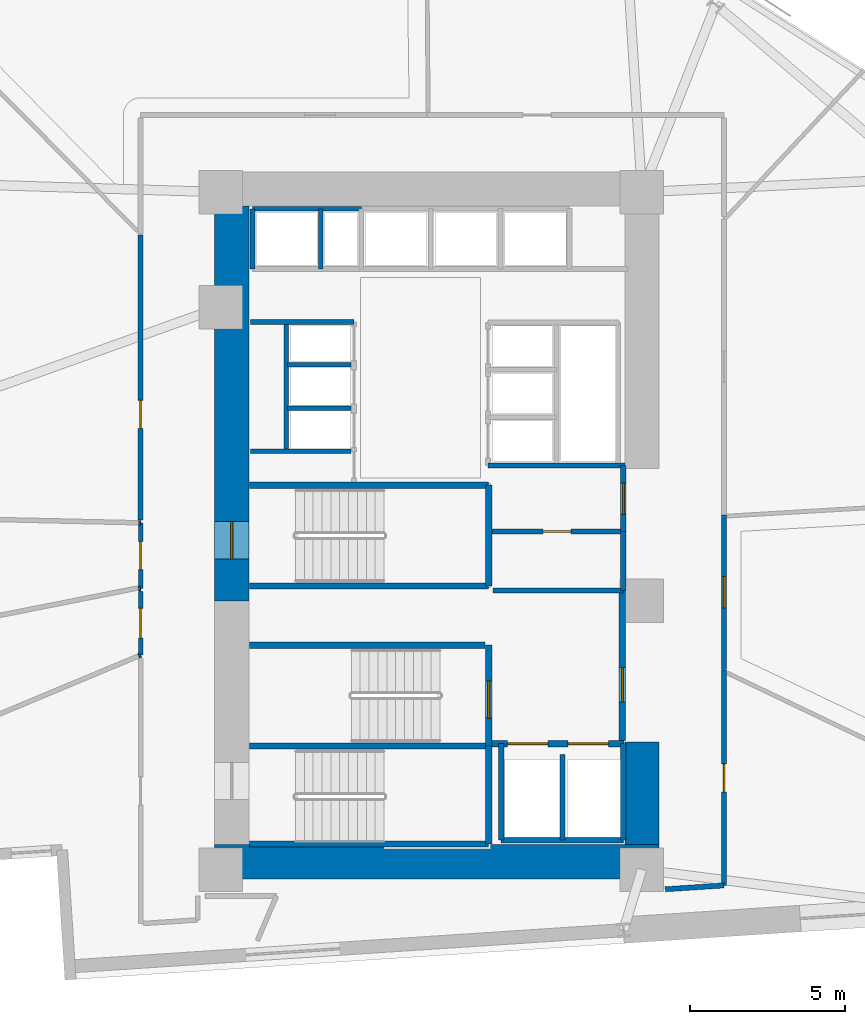
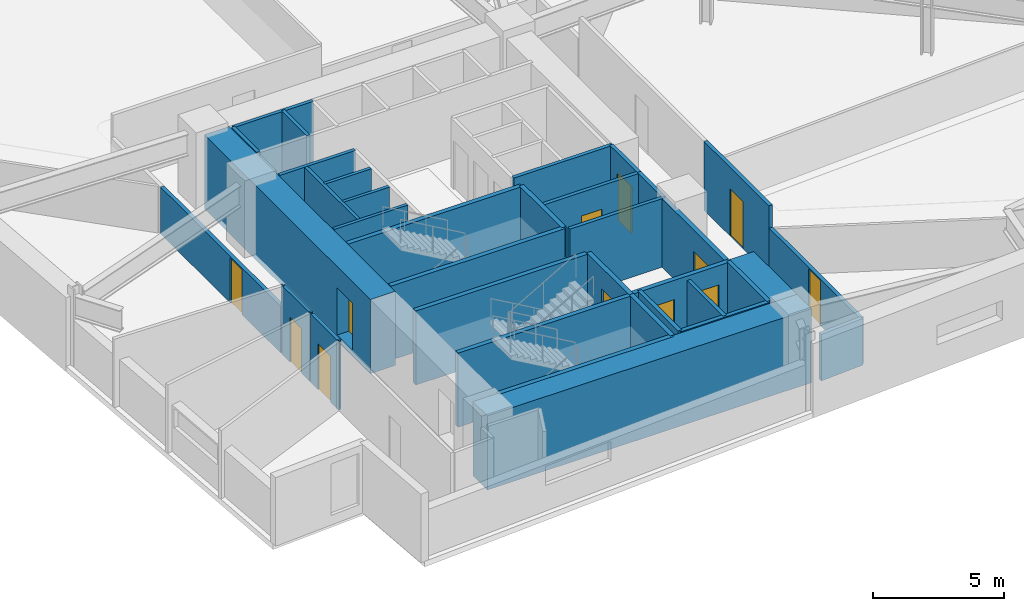
# One storey, part 11 of 15: 39 walls, 12 doors, 12 openings.
"""IFC4 building model written with IfcOpenShell, lengths in metres."""

import ifcopenshell
import ifcopenshell.guid

model = None  # the IFC model being written
_history = None  # IfcOwnerHistory: only IFC2X3 demands one
_inside = {}  # id of a spatial element -> (the spatial element, [elements in it])
_under = {}  # id of a project, library or spatial element -> (it, [spatial elements below it])
_declared = {}  # id of a project -> (the project, [libraries it declares])
_typed = {}  # id of a type object -> (the type object, [elements of that type])
_made_of = {}  # id of a material, layer set ... -> (it, [elements and type objects made of it])


def new_model(schema):
    """Start an empty IFC model of exactly this schema.

    Asked for "IFC4X3", IfcOpenShell would pick the latest addendum, in which some entities
    have other attributes; the version numbers below select the first issue.
    IFC2X3 requires an IfcOwnerHistory on every rooted entity: one is made here for all.
    """
    global model, _history
    if schema == "IFC4X3":
        model = ifcopenshell.file(schema_version=(4, 3, 0, 0))
    else:
        model = ifcopenshell.file(schema=schema)
    _inside.clear()
    _under.clear()
    _declared.clear()
    _typed.clear()
    _made_of.clear()
    _history = None
    if model.schema == "IFC2X3":
        org = make("IfcOrganization", Name="unknown")
        user = make(
            "IfcPersonAndOrganization",
            ThePerson=make("IfcPerson", FamilyName="unknown"),
            TheOrganization=org,
        )
        app = make(
            "IfcApplication",
            ApplicationDeveloper=org,
            Version="unknown",
            ApplicationFullName="unknown",
            ApplicationIdentifier="unknown",
        )
        _history = make(
            "IfcOwnerHistory",
            OwningUser=user,
            OwningApplication=app,
            ChangeAction="ADDED",
            CreationDate=0,
        )
    return model


def make(cls, **values):
    """One entity of the class cls with the attributes given. An attribute that is None is left unset."""
    return model.create_entity(
        cls, **{name: value for name, value in values.items() if value is not None}
    )


def rooted(cls, **values):
    """An entity with a GlobalId (a new one), such as an element, a storey or a relation."""
    return make(cls, GlobalId=ifcopenshell.guid.new(), OwnerHistory=_history, **values)


def si_unit(unit_type, name, prefix=None):
    """IfcSIUnit, for example si_unit("LENGTHUNIT", "METRE", prefix="MILLI")."""
    return make("IfcSIUnit", UnitType=unit_type, Prefix=prefix, Name=name)


def assignment(units):
    """IfcUnitAssignment: the units of a project."""
    return None if units is None else make("IfcUnitAssignment", Units=units)


def point(xyz):
    """IfcCartesianPoint."""
    return None if xyz is None else make("IfcCartesianPoint", Coordinates=xyz)


def direction(xyz):
    """IfcDirection."""
    return None if xyz is None else make("IfcDirection", DirectionRatios=xyz)


def frame(location, z_axis=None, x_axis=None):
    """IfcAxis2Placement3D, a coordinate frame: its origin and axes. An axis left out is left unset."""
    return make(
        "IfcAxis2Placement3D",
        Location=point(location),
        Axis=direction(z_axis),
        RefDirection=direction(x_axis),
    )


def frame_2d(location, x_axis=None):
    """IfcAxis2Placement2D, a coordinate frame in the plane: its origin and x axis."""
    return make(
        "IfcAxis2Placement2D", Location=point(location), RefDirection=direction(x_axis)
    )


def origin():
    """The frame at (0, 0, 0) with its axes left unset."""
    return frame((0.0, 0.0, 0.0))


def place(relative_to, where):
    """IfcLocalPlacement: puts the frame where relative to a parent placement (None: the world)."""
    return make(
        "IfcLocalPlacement", PlacementRelTo=relative_to, RelativePlacement=where
    )


def context(
    kind, dimensions, precision=None, world=None, true_north=None, identifier=None
):
    """IfcGeometricRepresentationContext, for example the 3D "Model" context."""
    return make(
        "IfcGeometricRepresentationContext",
        ContextIdentifier=identifier,
        ContextType=kind,
        CoordinateSpaceDimension=dimensions,
        Precision=precision,
        WorldCoordinateSystem=world,
        TrueNorth=true_north,
    )


def subcontext(parent, identifier, kind, view, scale=None):
    """IfcGeometricRepresentationSubContext, for example "Body" below "Model"."""
    return make(
        "IfcGeometricRepresentationSubContext",
        ContextIdentifier=identifier,
        ContextType=kind,
        ParentContext=parent,
        TargetScale=scale,
        TargetView=view,
    )


def project(units=None, contexts=None):
    """IfcProject with its units and contexts."""
    return rooted(
        "IfcProject",
        Name="project",
        RepresentationContexts=contexts,
        UnitsInContext=assignment(units),
    )


def spatial(cls, under=None, at=None, **own):
    """A site, building, storey or space (cls), placed at a placement, below another one or the project."""
    s = rooted(cls, ObjectPlacement=at, **own)
    if under is not None:
        _under.setdefault(under.id(), (under, []))[1].append(s)
    return s


def profile(cls, at=None, kind="AREA", **sizes):
    """A parametric profile (cls). Its sizes go by their IFC names, for example OverallWidth=200.0."""
    return make(cls, ProfileType=kind, Position=at, **sizes)


def rectangle(**sizes):
    """IfcRectangleProfileDef."""
    return profile("IfcRectangleProfileDef", **sizes)


def extrude(swept, where, along, depth):
    """IfcExtrudedAreaSolid: the profile swept, set in the frame where, extruded along a direction by depth."""
    return make(
        "IfcExtrudedAreaSolid",
        SweptArea=swept,
        Position=where,
        ExtrudedDirection=direction(along),
        Depth=depth,
    )


def shape(context_of_items, identifier, shape_type, items):
    """IfcShapeRepresentation: the items that make up one representation, for example the "Body"."""
    return make(
        "IfcShapeRepresentation",
        ContextOfItems=context_of_items,
        RepresentationIdentifier=identifier,
        RepresentationType=shape_type,
        Items=items,
    )


def material(Name=None, Category=None):
    """IfcMaterial."""
    return make("IfcMaterial", Name=Name, Category=Category)


def layer(
    of_material, thickness, ventilated=None, Name=None, Category=None, Priority=None
):
    """IfcMaterialLayer: one layer of a wall or slab, of a material (None: an air gap)."""
    return make(
        "IfcMaterialLayer",
        Material=of_material,
        LayerThickness=thickness,
        IsVentilated=ventilated,
        Name=Name,
        Category=Category,
        Priority=Priority,
    )


def layer_set(layers, Name=None):
    """IfcMaterialLayerSet."""
    return make("IfcMaterialLayerSet", MaterialLayers=layers, LayerSetName=Name)


def made_of(thing, what):
    """Note that an element or type object is made of a material, layer set ...; save() writes the relation."""
    if what is not None:
        _made_of.setdefault(what.id(), (what, []))[1].append(thing)
    return thing


def type_object(cls, material=None, **own):
    """A type object (cls), such as IfcWallType, which elements share."""
    return made_of(rooted(cls, **own), material)


def element(
    cls,
    number,
    at=None,
    inside=None,
    cuts=None,
    type_object=None,
    material=None,
    context=None,
    identifier="Body",
    shape_type=None,
    held_by="IfcProductDefinitionShape",
    body=None,
    shapes=None,
    **own,
):
    """One element of the class cls, such as IfcWall. Its Tag is "e" and its number.

    at: its placement. inside: the storey or other place that contains it. cuts: it is an
    opening in that element (IfcRelVoidsElement). A single representation is given by context,
    identifier, shape_type and body (its items); several are given by shapes. held_by: the class
    of the entity that holds the representations. save() writes the other relations.
    """
    e = rooted(cls, Tag="e%d" % number, ObjectPlacement=at, **own)
    if body is not None:
        shapes = [shape(context, identifier, shape_type, body)]
    if shapes is not None:
        e.Representation = make(held_by, Representations=shapes)
    if inside is not None:
        _inside.setdefault(inside.id(), (inside, []))[1].append(e)
    if cuts is not None:
        rooted(
            "IfcRelVoidsElement", RelatingBuildingElement=cuts, RelatedOpeningElement=e
        )
    if type_object is not None:
        _typed.setdefault(type_object.id(), (type_object, []))[1].append(e)
    return made_of(e, material)


def fill(opening, filler):
    """IfcRelFillsElement: the door or window that sits in an opening."""
    return rooted(
        "IfcRelFillsElement",
        RelatingOpeningElement=opening,
        RelatedBuildingElement=filler,
    )


def aggregate(whole, parts):
    """IfcRelAggregates: a whole, such as a stair, and the parts it consists of."""
    return rooted("IfcRelAggregates", RelatingObject=whole, RelatedObjects=parts)


def save(model, path):
    """Write the relations noted so far, then the file.

    IfcRelAggregates (storeys below a building ...), IfcRelContainedInSpatialStructure (elements
    in a storey), IfcRelDefinesByType, IfcRelAssociatesMaterial and IfcRelDeclares: one each for
    every whole, place, type object, material and project.
    """
    for whole, parts in _under.values():
        aggregate(whole, parts)
    for where, things in _inside.values():
        rooted(
            "IfcRelContainedInSpatialStructure",
            RelatedElements=things,
            RelatingStructure=where,
        )
    for kind, things in _typed.values():
        rooted("IfcRelDefinesByType", RelatedObjects=things, RelatingType=kind)
    for what, things in _made_of.values():
        rooted("IfcRelAssociatesMaterial", RelatedObjects=things, RelatingMaterial=what)
    for by, libraries in _declared.values():
        rooted("IfcRelDeclares", RelatingContext=by, RelatedDefinitions=libraries)
    model.write(path)


model = new_model("IFC4")

# Units and contexts
model_context = context("Model", 3, precision=1e-05, world=origin(), true_north=direction((0.0, 1.0)))
body_context = subcontext(model_context, "Body", "Model", "MODEL_VIEW")
ifc_project = project(units=[si_unit("LENGTHUNIT", "METRE"), si_unit("AREAUNIT", "SQUARE_METRE"), si_unit("VOLUMEUNIT", "CUBIC_METRE"), si_unit("PLANEANGLEUNIT", "RADIAN"), si_unit("MASSUNIT", "GRAM", prefix="KILO")], contexts=[model_context])

# Site, building, storey
site_placement = place(None, origin())
site = spatial("IfcSite", under=ifc_project, at=site_placement, CompositionType="ELEMENT")
building_placement = place(site_placement, origin())
building = spatial("IfcBuilding", under=site, at=building_placement, Name="Narakoshi Arena Tower", CompositionType="ELEMENT")
storey_placement = place(building_placement, frame((0.0, 0.0, 92.10009765625)))
storey = spatial("IfcBuildingStorey", under=building, at=storey_placement, Name="L24", CompositionType="ELEMENT", Elevation=92.10009765625)

# Walls
ifc_material_1 = material(Name="Concrete C60/75", Category="concrete")
ifc_layer_1 = layer(ifc_material_1, 1.10009765625)
ifc_layer_set_1 = layer_set([ifc_layer_1], Name="Concrete C60/75")
wall_type_1 = type_object("IfcWallType", Name="WL-CORE-1100", PredefinedType="SHEAR", material=ifc_layer_set_1)
wall_1_placement = place(storey_placement, frame((71.800048828125, 34.949951171875, -0.260009765625), z_axis=(0.0, 0.0, 1.0), x_axis=(1.0, 0.0, 0.0)))
element("IfcWall", 1, at=wall_1_placement, inside=storey, type_object=wall_type_1, Name="L24 Central Core Shear Wall CW-APX-S", PredefinedType="SHEAR", context=body_context, shape_type="SweptSolid", body=[
    extrude(rectangle(XDim=14.300048828125, YDim=1.10009765625, at=frame_2d((7.14990234375, 0.0))), origin(), (0.0, 0.0, 1.0), 3.4599609375),
])
wall_2_placement = place(storey_placement, frame((85.550048828125, 35.5, -0.260009765625), z_axis=(0.0, 0.0, 1.0), x_axis=(0.0, 1.0, 0.0)))
element("IfcWall", 2, at=wall_2_placement, inside=storey, type_object=wall_type_1, Name="L24 Central Core Shear Wall CW-APX-E", PredefinedType="SHEAR", context=body_context, shape_type="SweptSolid", body=[
    extrude(rectangle(XDim=3.300048828125, YDim=1.10009765625, at=frame_2d((1.64990234375, 0.0))), origin(), (0.0, 0.0, 1.0), 3.4599609375),
])

# Wall, opening, door
wall_3_placement = place(storey_placement, frame((72.35009765625, 43.35009765625, -0.260009765625), z_axis=(0.0, 0.0, 1.0), x_axis=(0.0, 1.0, 0.0)))
wall_3 = element("IfcWall", 3, at=wall_3_placement, inside=storey, type_object=wall_type_1, Name="L24 Main Core Shear Wall CW-MN-W", PredefinedType="SHEAR", context=body_context, shape_type="SweptSolid", body=[
    extrude(rectangle(XDim=12.699951171875, YDim=1.10009765625, at=frame_2d((6.35009765625, 0.0))), origin(), (0.0, 0.0, 1.0), 3.4599609375),
])
opening_1_placement = place(wall_3_placement, frame((1.35009765625, 0.0, 0.260009765625)))
opening_1 = element("IfcOpeningElement", 4, at=opening_1_placement, cuts=wall_3, Name="Opening D-03", PredefinedType="OPENING", context=body_context, shape_type="SweptSolid", body=[
    extrude(rectangle(XDim=1.199951171875, YDim=2.199951171875, at=frame_2d((0.60009765625, 1.10009765625))), frame((0.0, 0.56005859375, 0.0), z_axis=(0.0, -1.0, 0.0), x_axis=(1.0, 0.0, 0.0)), (0.0, 0.0, 1.0), 1.1201171875),
])
ifc_material_2 = material(Name="Painted galvanized steel", Category="steel")
door_type_1 = type_object("IfcDoorType", Name="DR-STR-1200", OperationType="NOTDEFINED", PredefinedType="USERDEFINED", material=ifc_material_2)
door_1_placement = place(opening_1_placement, frame((1.199951171875, 0.0, 0.0), z_axis=(0.0, 0.0, 1.0), x_axis=(-1.0, 0.0, 0.0)))
door_1 = element("IfcDoor", 5, at=door_1_placement, inside=storey, type_object=door_type_1, Name="DR-L24-006", ObjectType="EXITDOOR", OperationType="SINGLE_SWING_LEFT", OverallHeight=2.199951171875, OverallWidth=1.199951171875, PredefinedType="USERDEFINED", context=body_context, shape_type="SweptSolid", body=[
    extrude(rectangle(XDim=1.199951171875, YDim=2.199951171875, at=frame_2d((0.60009765625, 1.10009765625))), frame((0.0, 0.02490234375, 0.0), z_axis=(0.0, -1.0, 0.0), x_axis=(1.0, 0.0, 0.0)), (0.0, 0.0, 1.0), 0.050048828125),
])
fill(opening_1, door_1)

ifc_material_3 = material(Name="Gypsum plasterboard fire-rated partition")
ifc_layer_2 = layer(ifc_material_3, 0.1650390625)
ifc_layer_set_2 = layer_set([ifc_layer_2], Name="Gypsum plasterboard fire-rated partition")
wall_type_2 = type_object("IfcWallType", Name="WL-CORR-165", PredefinedType="PARTITIONING", material=ifc_layer_set_2)
wall_4_placement = place(storey_placement, frame((84.949951171875, 45.580078125, 0.0), z_axis=(0.0, 0.0, 1.0), x_axis=(0.0, 1.0, 0.0)))
wall_4 = element("IfcWall", 6, at=wall_4_placement, inside=storey, type_object=wall_type_2, Name="L24 Core Wall CPAS-E", PredefinedType="PARTITIONING", context=body_context, shape_type="SweptSolid", body=[
    extrude(rectangle(XDim=2.119873046875, YDim=0.1650390625, at=frame_2d((1.06005859375, 0.0))), origin(), (0.0, 0.0, 1.0), 3.199951171875),
])
opening_2_placement = place(wall_4_placement, frame((0.56005859375, 0.0, 0.0)))
opening_2 = element("IfcOpeningElement", 7, at=opening_2_placement, cuts=wall_4, Name="Opening D-06", PredefinedType="OPENING", context=body_context, shape_type="SweptSolid", body=[
    extrude(rectangle(XDim=1.0, YDim=2.199951171875, at=frame_2d((0.5, 1.10009765625))), frame((0.0, 0.092529296875, 0.0), z_axis=(0.0, -1.0, 0.0), x_axis=(1.0, 0.0, 0.0)), (0.0, 0.0, 1.0), 0.18505859375),
])
ifc_material_4 = material(Name="Stained oak solid-core timber", Category="wood")
door_type_2 = type_object("IfcDoorType", Name="DR-OFF-1000", OperationType="NOTDEFINED", PredefinedType="DOOR", material=ifc_material_4)
door_2_placement = place(opening_2_placement, frame((1.0, 0.0, 0.0), z_axis=(0.0, 0.0, 1.0), x_axis=(-1.0, 0.0, 0.0)))
door_2 = element("IfcDoor", 8, at=door_2_placement, inside=storey, type_object=door_type_2, Name="DR-L24-007", OperationType="SINGLE_SWING_LEFT", OverallHeight=2.199951171875, OverallWidth=1.0, PredefinedType="DOOR", context=body_context, shape_type="SweptSolid", body=[
    extrude(rectangle(XDim=1.0, YDim=2.199951171875, at=frame_2d((0.5, 1.10009765625))), frame((0.0, 0.02490234375, 0.0), z_axis=(0.0, -1.0, 0.0), x_axis=(1.0, 0.0, 0.0)), (0.0, 0.0, 1.0), 0.050048828125),
])
fill(opening_2, door_2)

wall_5_placement = place(storey_placement, frame((88.193603515625, 34.190673828125, 0.0), z_axis=(0.0, 0.0, 1.0), x_axis=(0.0, 1.0, 0.0)))
wall_5 = element("IfcWall", 9, at=wall_5_placement, inside=storey, type_object=wall_type_2, Name="L24 Corridor Partition 04-1", PredefinedType="PARTITIONING", context=body_context, shape_type="SweptSolid", body=[
    extrude(rectangle(XDim=6.925537109375, YDim=0.1650390625, at=frame_2d((3.462890625, 0.0))), origin(), (0.0, 0.0, 1.0), 2.177001953125),
])
opening_3_placement = place(wall_5_placement, frame((3.0126953125, 0.0, 0.0)))
opening_3 = element("IfcOpeningElement", 10, at=opening_3_placement, cuts=wall_5, Name="Opening D-08", PredefinedType="OPENING", context=body_context, shape_type="SweptSolid", body=[
    extrude(rectangle(XDim=0.89990234375, YDim=2.10009765625, at=frame_2d((0.449951171875, 1.050048828125))), frame((0.0, 0.092529296875, 0.0), z_axis=(0.0, -1.0, 0.0), x_axis=(1.0, 0.0, 0.0)), (0.0, 0.0, 1.0), 0.18505859375),
])
ifc_material_5 = material(Name="Moisture-resistant laminate timber", Category="wood")
door_type_3 = type_object("IfcDoorType", Name="DR-WC-900", OperationType="NOTDEFINED", PredefinedType="DOOR", material=ifc_material_5)
door_3_placement = place(opening_3_placement, frame((0.89990234375, 0.0, 0.0), z_axis=(0.0, 0.0, 1.0), x_axis=(-1.0, 0.0, 0.0)))
door_3 = element("IfcDoor", 11, at=door_3_placement, inside=storey, type_object=door_type_3, Name="DR-L24-019", OperationType="SINGLE_SWING_LEFT", OverallHeight=2.10009765625, OverallWidth=0.89990234375, PredefinedType="DOOR", context=body_context, shape_type="SweptSolid", body=[
    extrude(rectangle(XDim=0.89990234375, YDim=2.10009765625, at=frame_2d((0.449951171875, 1.050048828125))), frame((0.0, 0.02490234375, 0.0), z_axis=(0.0, -1.0, 0.0), x_axis=(1.0, 0.0, 0.0)), (0.0, 0.0, 1.0), 0.050048828125),
])
fill(opening_3, door_3)

# Wall
wall_6_placement = place(storey_placement, frame((86.300048828125, 34.066650390625, 0.0), z_axis=(0.0, 0.0, 1.0), x_axis=(0.997861903793, 0.065357638877, 0.0)))
element("IfcWall", 12, at=wall_6_placement, inside=storey, type_object=wall_type_2, Name="L24 Corridor Partition 04-2", PredefinedType="PARTITIONING", context=body_context, shape_type="SweptSolid", body=[
    extrude(rectangle(XDim=1.897705078125, YDim=0.1650390625, at=frame_2d((0.94873046875, 0.0))), origin(), (0.0, 0.0, 1.0), 2.177001953125),
])

# Wall, opening, door
wall_7_placement = place(storey_placement, frame((88.193603515625, 41.142822265625, 0.0), z_axis=(0.0, 0.0, 1.0), x_axis=(0.0, 1.0, 0.0)))
wall_7 = element("IfcWall", 13, at=wall_7_placement, inside=storey, type_object=wall_type_2, Name="L24 Corridor Partition 05-1", PredefinedType="PARTITIONING", context=body_context, shape_type="SweptSolid", body=[
    extrude(rectangle(XDim=4.962158203125, YDim=0.1650390625, at=frame_2d((2.48095703125, 0.0))), origin(), (0.0, 0.0, 1.0), 3.199951171875),
])
opening_4_placement = place(wall_7_placement, frame((1.981201171875, 0.0, 0.0)))
opening_4 = element("IfcOpeningElement", 14, at=opening_4_placement, cuts=wall_7, Name="Opening D-06", PredefinedType="OPENING", context=body_context, shape_type="SweptSolid", body=[
    extrude(rectangle(XDim=1.0, YDim=2.199951171875, at=frame_2d((0.5, 1.10009765625))), frame((0.0, 0.092529296875, 0.0), z_axis=(0.0, -1.0, 0.0), x_axis=(1.0, 0.0, 0.0)), (0.0, 0.0, 1.0), 0.18505859375),
])
door_4_placement = place(opening_4_placement, frame((1.0, 0.0, 0.0), z_axis=(0.0, 0.0, 1.0), x_axis=(-1.0, 0.0, 0.0)))
door_4 = element("IfcDoor", 15, at=door_4_placement, inside=storey, type_object=door_type_2, Name="DR-L24-020", OperationType="SINGLE_SWING_RIGHT", OverallHeight=2.199951171875, OverallWidth=1.0, PredefinedType="DOOR", context=body_context, shape_type="SweptSolid", body=[
    extrude(rectangle(XDim=1.0, YDim=2.199951171875, at=frame_2d((0.5, 1.10009765625))), frame((0.0, 0.02490234375, 0.0), z_axis=(0.0, -1.0, 0.0), x_axis=(1.0, 0.0, 0.0)), (0.0, 0.0, 1.0), 0.050048828125),
])
fill(opening_4, door_4)

wall_8_placement = place(storey_placement, frame((69.4150390625, 55.116455078125, 0.0), z_axis=(0.0, 0.0, 1.0), x_axis=(0.0, -1.0, 0.0)))
wall_8 = element("IfcWall", 16, at=wall_8_placement, inside=storey, type_object=wall_type_2, Name="L24 Corridor Partition 09-1", PredefinedType="PARTITIONING", context=body_context, shape_type="SweptSolid", body=[
    extrude(rectangle(XDim=9.173583984375, YDim=0.1650390625, at=frame_2d((4.5869140625, 0.0))), origin(), (0.0, 0.0, 1.0), 2.177001953125),
])
opening_5_placement = place(wall_8_placement, frame((5.31787109375, 0.0, 0.0)))
opening_5 = element("IfcOpeningElement", 17, at=opening_5_placement, cuts=wall_8, Name="Opening D-08", PredefinedType="OPENING", context=body_context, shape_type="SweptSolid", body=[
    extrude(rectangle(XDim=0.89990234375, YDim=2.10009765625, at=frame_2d((0.449951171875, 1.050048828125))), frame((0.0, 0.092529296875, 0.0), z_axis=(0.0, -1.0, 0.0), x_axis=(1.0, 0.0, 0.0)), (0.0, 0.0, 1.0), 0.18505859375),
])
door_5_placement = place(opening_5_placement, frame((0.89990234375, 0.0, 0.0), z_axis=(0.0, 0.0, 1.0), x_axis=(-1.0, 0.0, 0.0)))
door_5 = element("IfcDoor", 18, at=door_5_placement, inside=storey, type_object=door_type_3, Name="DR-L24-024", OperationType="SINGLE_SWING_RIGHT", OverallHeight=2.10009765625, OverallWidth=0.89990234375, PredefinedType="DOOR", context=body_context, shape_type="SweptSolid", body=[
    extrude(rectangle(XDim=0.89990234375, YDim=2.10009765625, at=frame_2d((0.449951171875, 1.050048828125))), frame((0.0, 0.02490234375, 0.0), z_axis=(0.0, -1.0, 0.0), x_axis=(1.0, 0.0, 0.0)), (0.0, 0.0, 1.0), 0.050048828125),
])
fill(opening_5, door_5)

# Walls
ifc_material_6 = material(Name="Concrete C40/50", Category="concrete")
ifc_layer_3 = layer(ifc_material_6, 0.280029296875)
ifc_layer_set_3 = layer_set([ifc_layer_3], Name="Concrete C40/50")
wall_type_3 = type_object("IfcWallType", Name="WL-RISER-280", PredefinedType="PLUMBINGWALL", material=ifc_layer_set_3)
wall_9_placement = place(storey_placement, frame((83.0, 35.64990234375, 0.0), z_axis=(0.0, 0.0, 1.0), x_axis=(0.0, 1.0, 0.0)))
element("IfcWall", 19, at=wall_9_placement, inside=storey, type_object=wall_type_3, Name="L24 Core Wall FF-DIV", PredefinedType="PLUMBINGWALL", context=body_context, shape_type="SweptSolid", body=[
    extrude(rectangle(XDim=2.75, YDim=0.159912109375, at=frame_2d((1.375, 0.0))), origin(), (0.0, 0.0, 1.0), 3.199951171875),
])
wall_10_placement = place(storey_placement, frame((84.949951171875, 43.679931640625, 0.0), z_axis=(0.0, 0.0, 1.0), x_axis=(0.0, 1.0, 0.0)))
element("IfcWall", 20, at=wall_10_placement, inside=storey, type_object=wall_type_3, Name="L24 Core Wall RSR-E", PredefinedType="PLUMBINGWALL", context=body_context, shape_type="SweptSolid", body=[
    extrude(rectangle(XDim=1.900146484375, YDim=0.1650390625, at=frame_2d((0.9501953125, 0.0))), origin(), (0.0, 0.0, 1.0), 3.199951171875),
])

# Wall, opening, door
wall_11_placement = place(storey_placement, frame((80.719970703125, 45.580078125, 0.0), z_axis=(0.0, 0.0, 1.0), x_axis=(1.0, 0.0, 0.0)))
wall_11 = element("IfcWall", 21, at=wall_11_placement, inside=storey, type_object=wall_type_3, Name="L24 Core Wall RSR-N", PredefinedType="PLUMBINGWALL", context=body_context, shape_type="SweptSolid", body=[
    extrude(rectangle(XDim=4.22998046875, YDim=0.159912109375, at=frame_2d((2.114990234375, 0.0))), origin(), (0.0, 0.0, 1.0), 3.199951171875),
])
opening_6_placement = place(wall_11_placement, frame((1.64990234375, 0.0, 0.0)))
opening_6 = element("IfcOpeningElement", 22, at=opening_6_placement, cuts=wall_11, Name="Opening D-08", PredefinedType="OPENING", context=body_context, shape_type="SweptSolid", body=[
    extrude(rectangle(XDim=0.89990234375, YDim=2.10009765625, at=frame_2d((0.449951171875, 1.050048828125))), frame((0.0, 0.08984375, 0.0), z_axis=(0.0, -1.0, 0.0), x_axis=(1.0, 0.0, 0.0)), (0.0, 0.0, 1.0), 0.179931640625),
])
door_6_placement = place(opening_6_placement, frame((0.89990234375, 0.0, 0.0), z_axis=(0.0, 0.0, 1.0), x_axis=(-1.0, 0.0, 0.0)))
door_6 = element("IfcDoor", 23, at=door_6_placement, inside=storey, type_object=door_type_3, Name="DR-L24-008", OperationType="SINGLE_SWING_LEFT", OverallHeight=2.10009765625, OverallWidth=0.89990234375, PredefinedType="DOOR", context=body_context, shape_type="SweptSolid", body=[
    extrude(rectangle(XDim=0.89990234375, YDim=2.10009765625, at=frame_2d((0.449951171875, 1.050048828125))), frame((0.0, 0.02490234375, 0.0), z_axis=(0.0, -1.0, 0.0), x_axis=(1.0, 0.0, 0.0)), (0.0, 0.0, 1.0), 0.050048828125),
])
fill(opening_6, door_6)

# Walls
wall_12_placement = place(storey_placement, frame((80.760009765625, 43.679931640625, 0.0), z_axis=(0.0, 0.0, 1.0), x_axis=(1.0, 0.0, 0.0)))
element("IfcWall", 24, at=wall_12_placement, inside=storey, type_object=wall_type_3, Name="L24 Core Wall RSR-S", PredefinedType="PLUMBINGWALL", context=body_context, shape_type="SweptSolid", body=[
    extrude(rectangle(XDim=4.18994140625, YDim=0.159912109375, at=frame_2d((2.094970703125, 0.0))), origin(), (0.0, 0.0, 1.0), 3.199951171875),
])
wall_13_placement = place(storey_placement, frame((72.949951171875, 48.159912109375, 0.0), z_axis=(0.0, 0.0, 1.0), x_axis=(1.0, 0.0, 0.0)))
element("IfcWall", 25, at=wall_13_placement, inside=storey, type_object=wall_type_3, Name="L24 Core Wall LR-S0", PredefinedType="PLUMBINGWALL", context=body_context, shape_type="SweptSolid", body=[
    extrude(rectangle(XDim=3.239990234375, YDim=0.139892578125, at=frame_2d((1.6201171875, 0.0))), origin(), (0.0, 0.0, 1.0), 3.199951171875),
])
for number, where, z_axis, x_axis, name in (
    (26, (74.14990234375, 49.550048828125, 0.0), (0.0, 0.0, 1.0), (1.0, 0.0, 0.0), "L24 Core Wall LR-D1"),
    (27, (74.14990234375, 50.949951171875, 0.0), (0.0, 0.0, 1.0), (1.0, 0.0, 0.0), "L24 Core Wall LR-D2"),
):
    element("IfcWall", number, at=place(storey_placement, frame(where, z_axis=z_axis, x_axis=x_axis)), inside=storey, type_object=wall_type_3, Name=name, PredefinedType="PLUMBINGWALL", context=body_context, shape_type="SweptSolid", body=[
        extrude(rectangle(XDim=2.0400390625, YDim=0.139892578125, at=frame_2d((1.02001953125, 0.0))), origin(), (0.0, 0.0, 1.0), 3.199951171875),
    ])
wall_14_placement = place(storey_placement, frame((74.10009765625, 48.159912109375, 0.0), z_axis=(0.0, 0.0, 1.0), x_axis=(0.0, 1.0, 0.0)))
element("IfcWall", 28, at=wall_14_placement, inside=storey, type_object=wall_type_3, Name="L24 Core Wall LR-W", PredefinedType="PLUMBINGWALL", context=body_context, shape_type="SweptSolid", body=[
    extrude(rectangle(XDim=4.16015625, YDim=0.139892578125, at=frame_2d((2.080078125, 0.0))), origin(), (0.0, 0.0, 1.0), 3.199951171875),
])
for number, where, z_axis, x_axis, name in (
    (29, (73.02001953125, 54.02001953125, 0.0), (0.0, 0.0, 1.0), (0.0, 1.0, 0.0), "L24 Core Wall OBS-W"),
    (30, (75.219970703125, 54.02001953125, 0.0), (0.0, 0.0, 1.0), (0.0, 1.0, 0.0), "L24 Core Wall OBS-M"),
):
    element("IfcWall", number, at=place(storey_placement, frame(where, z_axis=z_axis, x_axis=x_axis)), inside=storey, type_object=wall_type_3, Name=name, PredefinedType="PLUMBINGWALL", context=body_context, shape_type="SweptSolid", body=[
        extrude(rectangle(XDim=1.93994140625, YDim=0.14990234375, at=frame_2d((0.969970703125, 0.0))), origin(), (0.0, 0.0, 1.0), 3.199951171875),
    ])
ifc_material_7 = material(Name="Concrete C50/60", Category="concrete")
ifc_layer_4 = layer(ifc_material_7, 0.35009765625)
ifc_layer_set_4 = layer_set([ifc_layer_4], Name="Concrete C50/60")
wall_type_4 = type_object("IfcWallType", Name="WL-SHAFT-350", PredefinedType="SOLIDWALL", material=ifc_layer_set_4)
for number, where, z_axis, x_axis, name in (
    (31, (72.919921875, 35.52001953125, -0.260009765625), (0.0, 0.0, 1.0), (1.0, 0.0, 0.0), "L24 Core Wall ST1-S"),
    (32, (72.919921875, 38.675048828125, -0.260009765625), (0.0, 0.0, 1.0), (1.0, 0.0, 0.0), "L24 Core Wall ST12-DIV"),
):
    element("IfcWall", number, at=place(storey_placement, frame(where, z_axis=z_axis, x_axis=x_axis)), inside=storey, type_object=wall_type_4, Name=name, PredefinedType="SOLIDWALL", context=body_context, shape_type="SweptSolid", body=[
        extrude(rectangle(XDim=7.7001953125, YDim=0.199951171875, at=frame_2d((3.85009765625, 0.0))), origin(), (0.0, 0.0, 1.0), 3.4599609375),
    ])
wall_15_placement = place(storey_placement, frame((80.6201171875, 35.52001953125, -0.260009765625), z_axis=(0.0, 0.0, 1.0), x_axis=(0.0, 1.0, 0.0)))
element("IfcWall", 33, at=wall_15_placement, inside=storey, type_object=wall_type_4, Name="L24 Core Wall ST1-E", PredefinedType="SOLIDWALL", context=body_context, shape_type="SweptSolid", body=[
    extrude(rectangle(XDim=3.155029296875, YDim=0.199951171875, at=frame_2d((1.57763671875, 0.0))), origin(), (0.0, 0.0, 1.0), 3.4599609375),
])

# Wall, opening, door
wall_16_placement = place(storey_placement, frame((80.6201171875, 38.675048828125, -0.260009765625), z_axis=(0.0, 0.0, 1.0), x_axis=(0.0, 1.0, 0.0)))
wall_16 = element("IfcWall", 34, at=wall_16_placement, inside=storey, type_object=wall_type_4, Name="L24 Core Wall ST2-E", PredefinedType="SOLIDWALL", context=body_context, shape_type="SweptSolid", body=[
    extrude(rectangle(XDim=3.244873046875, YDim=0.199951171875, at=frame_2d((1.62255859375, 0.0))), origin(), (0.0, 0.0, 1.0), 3.4599609375),
])
opening_7_placement = place(wall_16_placement, frame((0.89990234375, 0.0, 0.260009765625)))
opening_7 = element("IfcOpeningElement", 35, at=opening_7_placement, cuts=wall_16, Name="Opening D-03", PredefinedType="OPENING", context=body_context, shape_type="SweptSolid", body=[
    extrude(rectangle(XDim=1.199951171875, YDim=2.199951171875, at=frame_2d((0.60009765625, 1.10009765625))), frame((0.0, 0.10986328125, 0.0), z_axis=(0.0, -1.0, 0.0), x_axis=(1.0, 0.0, 0.0)), (0.0, 0.0, 1.0), 0.219970703125),
])
door_7_placement = place(opening_7_placement, origin())
door_7 = element("IfcDoor", 36, at=door_7_placement, inside=storey, type_object=door_type_1, Name="DR-L24-002", ObjectType="EXITDOOR", OperationType="SINGLE_SWING_RIGHT", OverallHeight=2.199951171875, OverallWidth=1.199951171875, PredefinedType="USERDEFINED", context=body_context, shape_type="SweptSolid", body=[
    extrude(rectangle(XDim=1.199951171875, YDim=2.199951171875, at=frame_2d((0.60009765625, 1.10009765625))), frame((0.0, 0.02490234375, 0.0), z_axis=(0.0, -1.0, 0.0), x_axis=(1.0, 0.0, 0.0)), (0.0, 0.0, 1.0), 0.050048828125),
])
fill(opening_7, door_7)

# Wall, openings, doors
wall_17_placement = place(storey_placement, frame((80.719970703125, 38.75, 0.0), z_axis=(0.0, 0.0, 1.0), x_axis=(1.0, 0.0, 0.0)))
wall_17 = element("IfcWall", 37, at=wall_17_placement, inside=storey, type_object=wall_type_4, Name="L24 Core Wall FF-N", PredefinedType="SOLIDWALL", context=body_context, shape_type="SweptSolid", body=[
    extrude(rectangle(XDim=4.260009765625, YDim=0.199951171875, at=frame_2d((2.1298828125, 0.0))), origin(), (0.0, 0.0, 1.0), 3.199951171875),
])
opening_8_placement = place(wall_17_placement, frame((0.5, 0.0, 0.0)))
opening_8 = element("IfcOpeningElement", 38, at=opening_8_placement, cuts=wall_17, Name="Opening LD-02", PredefinedType="OPENING", context=body_context, shape_type="SweptSolid", body=[
    extrude(rectangle(XDim=1.300048828125, YDim=2.300048828125, at=frame_2d((0.64990234375, 1.14990234375))), frame((0.0, 0.10986328125, 0.0), z_axis=(0.0, -1.0, 0.0), x_axis=(1.0, 0.0, 0.0)), (0.0, 0.0, 1.0), 0.219970703125),
])
opening_9_placement = place(wall_17_placement, frame((2.449951171875, 0.0, 0.0)))
opening_9 = element("IfcOpeningElement", 39, at=opening_9_placement, cuts=wall_17, Name="Opening LD-02", PredefinedType="OPENING", context=body_context, shape_type="SweptSolid", body=[
    extrude(rectangle(XDim=1.300048828125, YDim=2.300048828125, at=frame_2d((0.64990234375, 1.14990234375))), frame((0.0, 0.10986328125, 0.0), z_axis=(0.0, -1.0, 0.0), x_axis=(1.0, 0.0, 0.0)), (0.0, 0.0, 1.0), 0.219970703125),
])
ifc_material_8 = material(Name="Brushed bronze stainless steel", Category="steel")
door_type_4 = type_object("IfcDoorType", Name="DR-LFT-1300", OperationType="DOUBLE_DOOR_SLIDING", PredefinedType="DOOR", material=ifc_material_8)
door_8_placement = place(opening_8_placement, origin())
door_8 = element("IfcDoor", 40, at=door_8_placement, inside=storey, type_object=door_type_4, Name="DR-L24-003", OperationType="DOUBLE_DOOR_SLIDING", OverallHeight=2.300048828125, OverallWidth=1.300048828125, PredefinedType="DOOR", context=body_context, shape_type="SweptSolid", body=[
    extrude(rectangle(XDim=1.300048828125, YDim=2.300048828125, at=frame_2d((0.64990234375, 1.14990234375))), frame((0.0, 0.02490234375, 0.0), z_axis=(0.0, -1.0, 0.0), x_axis=(1.0, 0.0, 0.0)), (0.0, 0.0, 1.0), 0.050048828125),
])
fill(opening_8, door_8)
door_9_placement = place(opening_9_placement, origin())
door_9 = element("IfcDoor", 41, at=door_9_placement, inside=storey, type_object=door_type_4, Name="DR-L24-004", OperationType="DOUBLE_DOOR_SLIDING", OverallHeight=2.300048828125, OverallWidth=1.300048828125, PredefinedType="DOOR", context=body_context, shape_type="SweptSolid", body=[
    extrude(rectangle(XDim=1.300048828125, YDim=2.300048828125, at=frame_2d((0.64990234375, 1.14990234375))), frame((0.0, 0.02490234375, 0.0), z_axis=(0.0, -1.0, 0.0), x_axis=(1.0, 0.0, 0.0)), (0.0, 0.0, 1.0), 0.050048828125),
])
fill(opening_9, door_9)

# Walls
for number, where, z_axis, x_axis, name in (
    (42, (84.949951171875, 35.64990234375, 0.0), (0.0, 0.0, 1.0), (0.0, 1.0, 0.0), "L24 Core Wall FF-E"),
    (43, (81.02001953125, 35.64990234375, 0.0), (0.0, 0.0, 1.0), (0.0, 1.0, 0.0), "L24 Core Wall FF-W"),
):
    element("IfcWall", number, at=place(storey_placement, frame(where, z_axis=z_axis, x_axis=x_axis)), inside=storey, type_object=wall_type_4, Name=name, PredefinedType="SOLIDWALL", context=body_context, shape_type="SweptSolid", body=[
        extrude(rectangle(XDim=3.10009765625, YDim=0.179931640625, at=frame_2d((1.550048828125, 0.0))), origin(), (0.0, 0.0, 1.0), 3.199951171875),
    ])
wall_18_placement = place(storey_placement, frame((81.02001953125, 35.64990234375, 0.0), z_axis=(0.0, 0.0, 1.0), x_axis=(1.0, 0.0, 0.0)))
element("IfcWall", 44, at=wall_18_placement, inside=storey, type_object=wall_type_4, Name="L24 Core Wall FF-S", PredefinedType="SOLIDWALL", context=body_context, shape_type="SweptSolid", body=[
    extrude(rectangle(XDim=3.929931640625, YDim=0.179931640625, at=frame_2d((1.96484375, 0.0))), origin(), (0.0, 0.0, 1.0), 3.199951171875),
])

# Wall, opening, door
wall_19_placement = place(storey_placement, frame((84.919921875, 38.85009765625, 0.0), z_axis=(0.0, 0.0, 1.0), x_axis=(0.0, 1.0, 0.0)))
wall_19 = element("IfcWall", 45, at=wall_19_placement, inside=storey, type_object=wall_type_4, Name="L24 Core Wall FFLOB-E", PredefinedType="SOLIDWALL", context=body_context, shape_type="SweptSolid", body=[
    extrude(rectangle(XDim=4.829833984375, YDim=0.199951171875, at=frame_2d((2.4150390625, 0.0))), origin(), (0.0, 0.0, 1.0), 3.199951171875),
])
opening_10_placement = place(wall_19_placement, frame((1.25, 0.0, 0.0)))
opening_10 = element("IfcOpeningElement", 46, at=opening_10_placement, cuts=wall_19, Name="Opening D-04", PredefinedType="OPENING", context=body_context, shape_type="SweptSolid", body=[
    extrude(rectangle(XDim=1.10009765625, YDim=2.199951171875, at=frame_2d((0.550048828125, 1.10009765625))), frame((0.0, 0.10986328125, 0.0), z_axis=(0.0, -1.0, 0.0), x_axis=(1.0, 0.0, 0.0)), (0.0, 0.0, 1.0), 0.219970703125),
])
door_type_5 = type_object("IfcDoorType", Name="DR-FFL-1100", OperationType="NOTDEFINED", PredefinedType="DOOR", material=ifc_material_2)
door_10_placement = place(opening_10_placement, frame((1.10009765625, 0.0, 0.0), z_axis=(0.0, 0.0, 1.0), x_axis=(-1.0, 0.0, 0.0)))
door_10 = element("IfcDoor", 47, at=door_10_placement, inside=storey, type_object=door_type_5, Name="DR-L24-005", OperationType="SINGLE_SWING_RIGHT", OverallHeight=2.199951171875, OverallWidth=1.10009765625, PredefinedType="DOOR", context=body_context, shape_type="SweptSolid", body=[
    extrude(rectangle(XDim=1.10009765625, YDim=2.199951171875, at=frame_2d((0.550048828125, 1.10009765625))), frame((0.0, 0.02490234375, 0.0), z_axis=(0.0, -1.0, 0.0), x_axis=(1.0, 0.0, 0.0)), (0.0, 0.0, 1.0), 0.050048828125),
])
fill(opening_10, door_10)

# Walls
wall_20_placement = place(storey_placement, frame((72.919921875, 41.919921875, -0.260009765625), z_axis=(0.0, 0.0, 1.0), x_axis=(1.0, 0.0, 0.0)))
element("IfcWall", 48, at=wall_20_placement, inside=storey, type_object=wall_type_4, Name="L24 Core Wall ST2-N", PredefinedType="SOLIDWALL", context=body_context, shape_type="SweptSolid", body=[
    extrude(rectangle(XDim=7.580078125, YDim=0.199951171875, at=frame_2d((3.7900390625, 0.0))), origin(), (0.0, 0.0, 1.0), 3.4599609375),
])
for number, where, z_axis, x_axis, name in (
    (49, (72.919921875, 43.830078125, -0.260009765625), (0.0, 0.0, 1.0), (1.0, 0.0, 0.0), "L24 Core Wall ST3-S"),
    (50, (72.919921875, 47.070068359375, -0.260009765625), (0.0, 0.0, 1.0), (1.0, 0.0, 0.0), "L24 Core Wall ST3-N"),
):
    element("IfcWall", number, at=place(storey_placement, frame(where, z_axis=z_axis, x_axis=x_axis)), inside=storey, type_object=wall_type_4, Name=name, PredefinedType="SOLIDWALL", context=body_context, shape_type="SweptSolid", body=[
        extrude(rectangle(XDim=7.7001953125, YDim=0.199951171875, at=frame_2d((3.85009765625, 0.0))), origin(), (0.0, 0.0, 1.0), 3.4599609375),
    ])
wall_21_placement = place(storey_placement, frame((80.6201171875, 43.830078125, -0.260009765625), z_axis=(0.0, 0.0, 1.0), x_axis=(0.0, 1.0, 0.0)))
element("IfcWall", 51, at=wall_21_placement, inside=storey, type_object=wall_type_4, Name="L24 Core Wall ST3-E", PredefinedType="SOLIDWALL", context=body_context, shape_type="SweptSolid", body=[
    extrude(rectangle(XDim=3.239990234375, YDim=0.199951171875, at=frame_2d((1.6201171875, 0.0))), origin(), (0.0, 0.0, 1.0), 3.4599609375),
])
wall_22_placement = place(storey_placement, frame((72.949951171875, 52.320068359375, 0.0), z_axis=(0.0, 0.0, 1.0), x_axis=(1.0, 0.0, 0.0)))
element("IfcWall", 52, at=wall_22_placement, inside=storey, type_object=wall_type_4, Name="L24 Core Wall LR-N", PredefinedType="SOLIDWALL", context=body_context, shape_type="SweptSolid", body=[
    extrude(rectangle(XDim=3.330078125, YDim=0.14990234375, at=frame_2d((1.6650390625, 0.0))), origin(), (0.0, 0.0, 1.0), 3.199951171875),
])
wall_23_placement = place(storey_placement, frame((80.60009765625, 47.699951171875, 0.0), z_axis=(0.0, 0.0, 1.0), x_axis=(1.0, 0.0, 0.0)))
element("IfcWall", 53, at=wall_23_placement, inside=storey, type_object=wall_type_4, Name="L24 Core Wall MR-S", PredefinedType="SOLIDWALL", context=body_context, shape_type="SweptSolid", body=[
    extrude(rectangle(XDim=4.39990234375, YDim=0.159912109375, at=frame_2d((2.199951171875, 0.0))), origin(), (0.0, 0.0, 1.0), 3.199951171875),
])
wall_24_placement = place(storey_placement, frame((73.02001953125, 55.9599609375, 0.0), z_axis=(0.0, 0.0, 1.0), x_axis=(1.0, 0.0, 0.0)))
element("IfcWall", 54, at=wall_24_placement, inside=storey, type_object=wall_type_4, Name="L24 Core Wall OBS-N", PredefinedType="SOLIDWALL", context=body_context, shape_type="SweptSolid", body=[
    extrude(rectangle(XDim=3.5, YDim=0.14990234375, at=frame_2d((1.75, 0.0))), origin(), (0.0, 0.0, 1.0), 3.199951171875),
])

# Wall, opening, door
ifc_material_9 = material(Name="Moisture-resistant cement-board partition")
ifc_layer_5 = layer(ifc_material_9, 0.14501953125)
ifc_layer_set_5 = layer_set([ifc_layer_5], Name="Moisture-resistant cement-board partition")
wall_type_5 = type_object("IfcWallType", Name="WL-WET-145", PredefinedType="PARTITIONING", material=ifc_layer_set_5)
wall_25_placement = place(storey_placement, frame((69.4150390625, 45.8583984375, 0.0), z_axis=(0.0, 0.0, 1.0), x_axis=(0.0, -1.0, 0.0)))
wall_25 = element("IfcWall", 55, at=wall_25_placement, inside=storey, type_object=wall_type_5, Name="L24 Corridor Partition 01-1", PredefinedType="PARTITIONING", context=body_context, shape_type="SweptSolid", body=[
    extrude(rectangle(XDim=2.116943359375, YDim=0.14501953125, at=frame_2d((1.05859375, 0.0))), origin(), (0.0, 0.0, 1.0), 3.199951171875),
])
opening_11_placement = place(wall_25_placement, frame((0.6083984375, 0.0, 0.0)))
opening_11 = element("IfcOpeningElement", 56, at=opening_11_placement, cuts=wall_25, Name="Opening D-08", PredefinedType="OPENING", context=body_context, shape_type="SweptSolid", body=[
    extrude(rectangle(XDim=0.89990234375, YDim=2.10009765625, at=frame_2d((0.449951171875, 1.050048828125))), frame((0.0, 0.08251953125, 0.0), z_axis=(0.0, -1.0, 0.0), x_axis=(1.0, 0.0, 0.0)), (0.0, 0.0, 1.0), 0.1650390625),
])
door_11_placement = place(opening_11_placement, frame((0.89990234375, 0.0, 0.0), z_axis=(0.0, 0.0, 1.0), x_axis=(-1.0, 0.0, 0.0)))
door_11 = element("IfcDoor", 57, at=door_11_placement, inside=storey, type_object=door_type_3, Name="DR-L24-016", OperationType="SINGLE_SWING_RIGHT", OverallHeight=2.10009765625, OverallWidth=0.89990234375, PredefinedType="DOOR", context=body_context, shape_type="SweptSolid", body=[
    extrude(rectangle(XDim=0.89990234375, YDim=2.10009765625, at=frame_2d((0.449951171875, 1.050048828125))), frame((0.0, 0.02490234375, 0.0), z_axis=(0.0, -1.0, 0.0), x_axis=(1.0, 0.0, 0.0)), (0.0, 0.0, 1.0), 0.050048828125),
])
fill(opening_11, door_11)

# Walls
wall_26_placement = place(storey_placement, frame((69.4150390625, 43.741455078125, 0.0), z_axis=(0.0, 0.0, 1.0), x_axis=(-0.980733711451, -0.195349397809, 0.0)))
element("IfcWall", 58, at=wall_26_placement, inside=storey, type_object=wall_type_5, Name="L24 Corridor Partition 01-2", PredefinedType="PARTITIONING", context=body_context, shape_type="SweptSolid", body=[
    extrude(rectangle(XDim=0.061279296875, YDim=0.14501953125, at=frame_2d((0.03076171875, 0.0))), origin(), (0.0, 0.0, 1.0), 3.199951171875),
])
wall_27_placement = place(storey_placement, frame((69.35498046875, 45.860107421875, 0.0), z_axis=(0.0, 0.0, 1.0), x_axis=(0.999595394082, -0.028443771376, 0.0)))
element("IfcWall", 59, at=wall_27_placement, inside=storey, type_object=wall_type_5, Name="L24 Corridor Partition 01-3", PredefinedType="PARTITIONING", context=body_context, shape_type="SweptSolid", body=[
    extrude(rectangle(XDim=0.06005859375, YDim=0.14501953125, at=frame_2d((0.030029296875, 0.0))), origin(), (0.0, 0.0, 1.0), 3.199951171875),
])

# Wall, opening, door
wall_28_placement = place(storey_placement, frame((69.4150390625, 43.655517578125, 0.0), z_axis=(0.0, 0.0, 1.0), x_axis=(0.0, -1.0, 0.0)))
wall_28 = element("IfcWall", 60, at=wall_28_placement, inside=storey, type_object=wall_type_5, Name="L24 Corridor Partition 02-1", PredefinedType="PARTITIONING", context=body_context, shape_type="SweptSolid", body=[
    extrude(rectangle(XDim=2.05517578125, YDim=0.14501953125, at=frame_2d((1.027587890625, 0.0))), origin(), (0.0, 0.0, 1.0), 3.199951171875),
])
opening_12_placement = place(wall_28_placement, frame((0.552490234375, 0.0, 0.0)))
opening_12 = element("IfcOpeningElement", 61, at=opening_12_placement, cuts=wall_28, Name="Opening D-07", PredefinedType="OPENING", context=body_context, shape_type="SweptSolid", body=[
    extrude(rectangle(XDim=0.949951171875, YDim=2.14990234375, at=frame_2d((0.47509765625, 1.074951171875))), frame((0.0, 0.08251953125, 0.0), z_axis=(0.0, -1.0, 0.0), x_axis=(1.0, 0.0, 0.0)), (0.0, 0.0, 1.0), 0.1650390625),
])
door_type_6 = type_object("IfcDoorType", Name="DR-ACC-950", OperationType="NOTDEFINED", PredefinedType="DOOR", material=ifc_material_4)
door_12_placement = place(opening_12_placement, frame((0.949951171875, 0.0, 0.0), z_axis=(0.0, 0.0, 1.0), x_axis=(-1.0, 0.0, 0.0)))
door_12 = element("IfcDoor", 62, at=door_12_placement, inside=storey, type_object=door_type_6, Name="DR-L24-017", OperationType="SINGLE_SWING_RIGHT", OverallHeight=2.14990234375, OverallWidth=0.949951171875, PredefinedType="DOOR", context=body_context, shape_type="SweptSolid", body=[
    extrude(rectangle(XDim=0.949951171875, YDim=2.14990234375, at=frame_2d((0.47509765625, 1.074951171875))), frame((0.0, 0.02490234375, 0.0), z_axis=(0.0, -1.0, 0.0), x_axis=(1.0, 0.0, 0.0)), (0.0, 0.0, 1.0), 0.050048828125),
])
fill(opening_12, door_12)

# Wall
wall_29_placement = place(storey_placement, frame((69.4150390625, 41.600341796875, 0.0), z_axis=(0.0, 0.0, 1.0), x_axis=(-0.919724178818, -0.392565198276, 0.0)))
element("IfcWall", 63, at=wall_29_placement, inside=storey, type_object=wall_type_5, Name="L24 Corridor Partition 02-2", PredefinedType="PARTITIONING", context=body_context, shape_type="SweptSolid", body=[
    extrude(rectangle(XDim=0.065185546875, YDim=0.14501953125, at=frame_2d((0.03271484375, 0.0))), origin(), (0.0, 0.0, 1.0), 3.199951171875),
])

save(model, "model.ifc")
